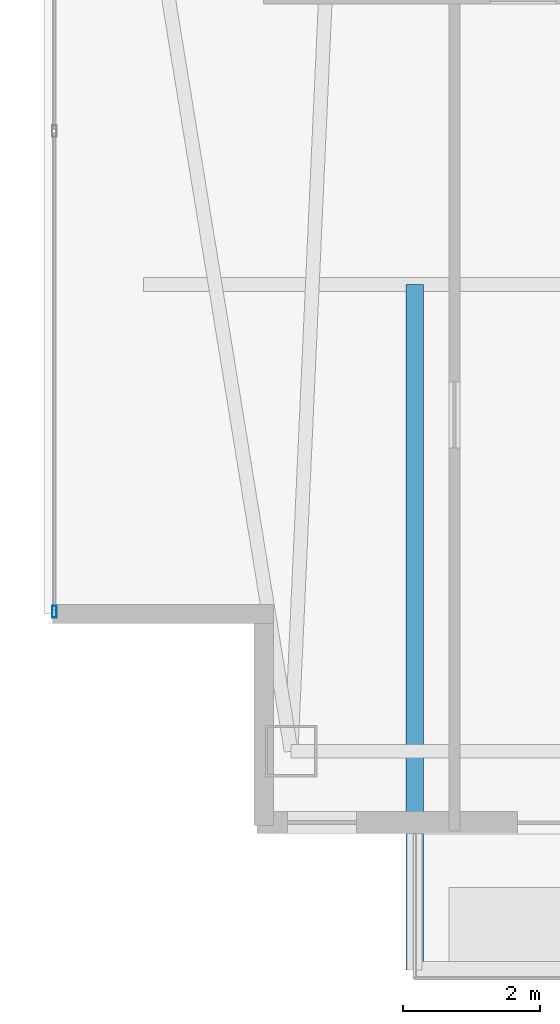
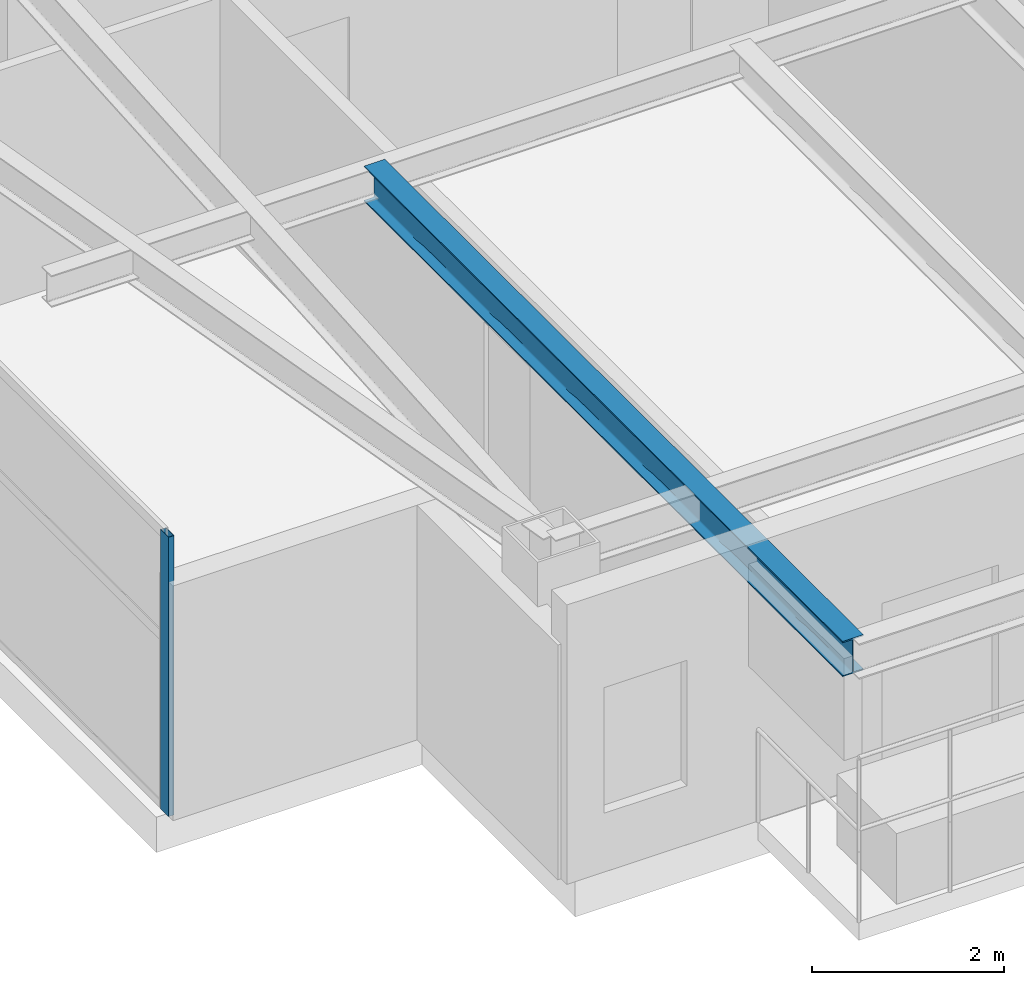
# One storey, part 2 of 27: 1 beam, 1 member, 1 element without a shape of its own.
"""IFC4 building model written with IfcOpenShell, lengths in metres."""

from ifc_helpers import new_model, si_unit, direction, frame, origin, origin_2d, place, context, subcontext, project, spatial, hollow_rectangle, i_section, extrude, material, layer, layer_set, material_profile, profile_set, type_object, element, aggregate, save


model = new_model("IFC4")

# Units and contexts
model_context = context("Model", 3, precision=1e-05, world=origin(), true_north=direction((0.0, 1.0)))
body_context = subcontext(model_context, "Body", "Model", "MODEL_VIEW")
ifc_project = project(units=[si_unit("LENGTHUNIT", "METRE"), si_unit("AREAUNIT", "SQUARE_METRE"), si_unit("VOLUMEUNIT", "CUBIC_METRE"), si_unit("PLANEANGLEUNIT", "RADIAN"), si_unit("MASSUNIT", "GRAM", prefix="KILO")], contexts=[model_context])

# Site, building, storey
site_placement = place(None, origin())
site = spatial("IfcSite", under=ifc_project, at=site_placement, CompositionType="ELEMENT")
building_placement = place(site_placement, origin())
building = spatial("IfcBuilding", under=site, at=building_placement, Name="Calvorn Quay Hotel", CompositionType="ELEMENT")
storey_placement = place(building_placement, frame((0.0, 0.0, 287.300048828125)))
storey = spatial("IfcBuildingStorey", under=building, at=storey_placement, Name="L71", CompositionType="ELEMENT", Elevation=287.300048828125)

# Beam
ifc_material_1 = material(Name="Steel Q355B", Category="steel")
ifc_material_profile_1 = material_profile(ifc_material_1, i_section(OverallWidth=0.25, OverallDepth=0.449951171875, WebThickness=0.011962890625, FlangeThickness=0.01611328125, FilletRadius=0.01611328125, at=origin_2d()), Name="HN450x250x12x16")
ifc_profile_set_1 = profile_set([ifc_material_profile_1], Name="Steel Q355B")
beam_type = type_object("IfcBeamType", Name="BM-CANT-BALC", PredefinedType="BEAM", material=ifc_profile_set_1)
beam_placement = place(storey_placement, frame((5.39990234375, 10.39990234375, 3.31494140625), z_axis=(0.0, -1.0, 0.0), x_axis=(1.0, 0.0, 0.0)))
element("IfcBeam", 1, at=beam_placement, inside=storey, type_object=beam_type, Name="Cantilever Balcony Beam BCB-L72-2A", PredefinedType="BEAM", context=body_context, shape_type="SweptSolid", body=[
    extrude(i_section(OverallWidth=0.25, OverallDepth=0.449951171875, WebThickness=0.011962890625, FlangeThickness=0.01611328125, FilletRadius=0.01611328125, at=origin_2d()), origin(), (0.0, 0.0, 1.0), 9.989990234375),
])

# Curtain wall, member
ifc_material_2 = material(Name="Champagne Bronze Anodised Aluminium and Low-E Glass", Category="aluminium")
ifc_layer = layer(ifc_material_2, 0.219970703125)
ifc_layer_set = layer_set([ifc_layer], Name="CW-SYS-Z4")
curtain_wall_type = type_object("IfcCurtainWallType", Name="CW-SYS-Z4", PredefinedType="NOTDEFINED", material=ifc_layer_set)
curtain_wall_placement = place(storey_placement, origin())
curtain_wall = element("IfcCurtainWall", 2, at=curtain_wall_placement, inside=storey, type_object=curtain_wall_type, Name="Tower West Curtain Wall (L71)", PredefinedType="NOTDEFINED")
ifc_material_3 = material(Name="Champagne Bronze Anodised Aluminium 6063-T6", Category="aluminium")
ifc_material_profile_2 = material_profile(ifc_material_3, hollow_rectangle(XDim=0.06494140625, YDim=0.169921875, WallThickness=0.00341796875, at=origin_2d()), Name="ALU-M170x65x3.5")
ifc_profile_set_2 = profile_set([ifc_material_profile_2], Name="Champagne Bronze Anodised Aluminium 6063-T6")
member_type = type_object("IfcMemberType", Name="CW-SYS-Z4-MUL", PredefinedType="MULLION", material=ifc_profile_set_2)
member_placement = place(storey_placement, frame((0.14990234375, 5.6298828125, 0.0), z_axis=(0.0, 0.0, 1.0), x_axis=(-1.0, 0.0, 0.0)))
member = element("IfcMember", 3, at=member_placement, type_object=member_type, Name="CW-L71-W mullion 1", PredefinedType="MULLION", context=body_context, shape_type="SweptSolid", body=[
    extrude(hollow_rectangle(XDim=0.06494140625, YDim=0.169921875, WallThickness=0.00341796875, at=origin_2d()), origin(), (0.0, 0.0, 1.0), 3.56005859375),
])
aggregate(curtain_wall, [member])

save(model, "model.ifc")
